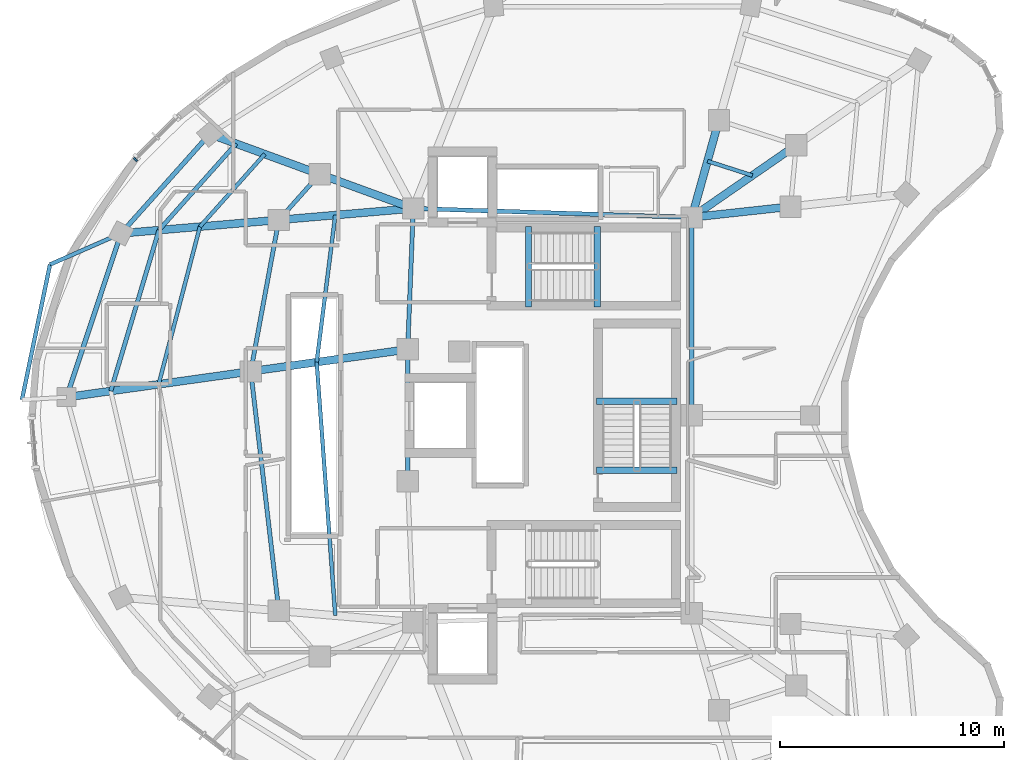
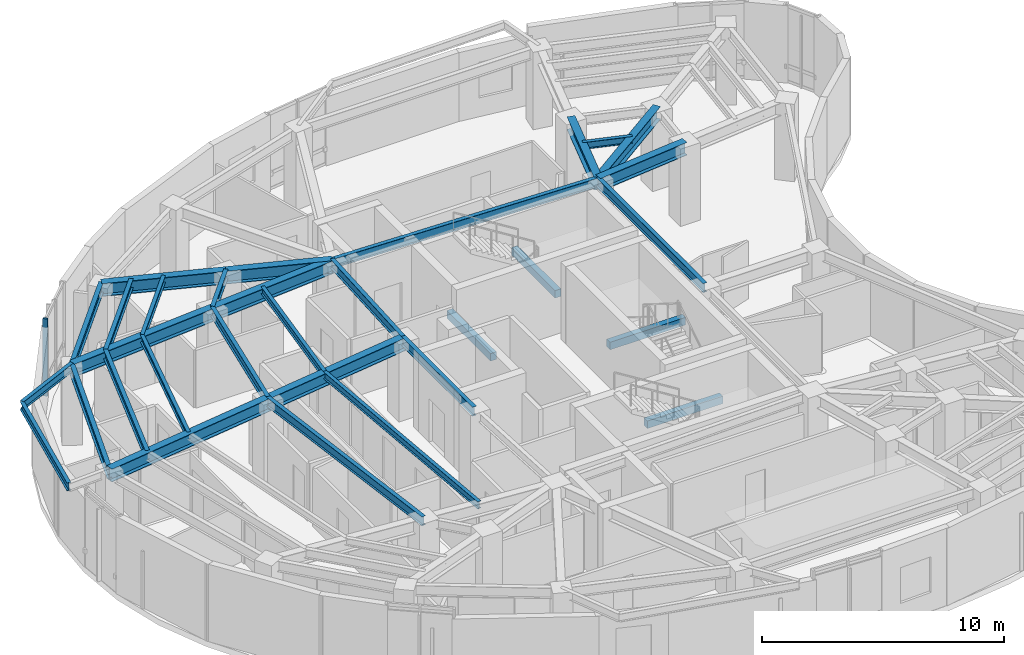
# One storey, part 3 of 13: 31 beams, 1 member, 1 element without a shape of its own.
"""IFC4 building model written with IfcOpenShell, lengths in metres."""

from ifc_helpers import new_model, si_unit, direction, frame, origin, origin_2d, place, context, subcontext, project, spatial, rectangle, i_section, extrude, material, layer, layer_set, material_profile, profile_set, type_object, element, aggregate, save


model = new_model("IFC4")

# Units and contexts
model_context = context("Model", 3, precision=1e-05, world=origin(), true_north=direction((0.0, 1.0)))
body_context = subcontext(model_context, "Body", "Model", "MODEL_VIEW")
ifc_project = project(units=[si_unit("LENGTHUNIT", "METRE"), si_unit("AREAUNIT", "SQUARE_METRE"), si_unit("VOLUMEUNIT", "CUBIC_METRE"), si_unit("PLANEANGLEUNIT", "RADIAN"), si_unit("MASSUNIT", "GRAM", prefix="KILO")], contexts=[model_context])

# Site, building, storey
site_placement = place(None, origin())
site = spatial("IfcSite", under=ifc_project, at=site_placement, CompositionType="ELEMENT")
building_placement = place(site_placement, origin())
building = spatial("IfcBuilding", under=site, at=building_placement, Name="Korentha Bioscience Tower", CompositionType="ELEMENT")
storey_placement = place(building_placement, frame((0.0, 0.0, 260.39990234375)))
storey = spatial("IfcBuildingStorey", under=building, at=storey_placement, Name="L60", CompositionType="ELEMENT", Elevation=260.39990234375)

# Beams
ifc_material_1 = material(Name="Concrete C50", Category="concrete")
ifc_material_profile_1 = material_profile(ifc_material_1, rectangle(XDim=0.280029296875, YDim=0.3798828125, at=origin_2d()), Name="Concrete C50")
ifc_profile_set_1 = profile_set([ifc_material_profile_1], Name="Concrete C50 (ST-HB380)")
beam_type_1 = type_object("IfcBeamType", Name="Concrete Stair Header Beam RC 280x380", PredefinedType="BEAM", material=ifc_profile_set_1)
for number, where, z_axis, x_axis, name in (
    (1, (30.25, 31.85009765625, -0.18994140625), (0.0, 1.0, 0.0), (-1.0, 0.0, 0.0), "L60 ST-1 Concrete Stair Header Beam"),
    (2, (33.330078125, 31.85009765625, 1.91015625), (0.0, 1.0, 0.0), (-1.0, 0.0, 0.0), "L60 ST-1 Half-Landing Header Beam 1"),
    (3, (36.89990234375, 24.550048828125, -0.18994140625), (-1.0, 0.0, 0.0), (0.0, -1.0, 0.0), "L60 ST-3 Concrete Stair Header Beam"),
    (4, (36.89990234375, 27.6298828125, 1.91015625), (-1.0, 0.0, 0.0), (0.0, -1.0, 0.0), "L60 ST-3 Half-Landing Header Beam 1"),
):
    element("IfcBeam", number, at=place(storey_placement, frame(where, z_axis=z_axis, x_axis=x_axis)), inside=storey, type_object=beam_type_1, Name=name, PredefinedType="BEAM", context=body_context, shape_type="SweptSolid", body=[
        extrude(rectangle(XDim=0.280029296875, YDim=0.3798828125, at=origin_2d()), origin(), (0.0, 0.0, 1.0), 3.599853515625),
    ])
ifc_material_2 = material(Name="Steel S355", Category="steel")
ifc_material_profile_2 = material_profile(ifc_material_2, i_section(OverallWidth=0.18994140625, OverallDepth=0.45703125, WebThickness=0.009033203125, FlangeThickness=0.014404296875, at=origin_2d()), Name="Steel S355")
ifc_profile_set_2 = profile_set([ifc_material_profile_2], Name="Steel S355 (MB-460)")
beam_type_2 = type_object("IfcBeamType", Name="Mid-Ring Tie Girder W460x74", PredefinedType="BEAM", material=ifc_profile_set_2)
beam_1_placement = place(storey_placement, frame((20.915283203125, 37.78125, 3.671630859375), z_axis=(-0.666159168073, -0.745809602239, 0.0), x_axis=(0.745809602239, -0.666159168073, 0.0)))
element("IfcBeam", 5, at=beam_1_placement, inside=storey, type_object=beam_type_2, Name="L60 Mid-Ring Tie Girder 05", PredefinedType="BEAM", context=body_context, shape_type="SweptSolid", body=[
    extrude(i_section(OverallWidth=0.18994140625, OverallDepth=0.45703125, WebThickness=0.009033203125, FlangeThickness=0.014404296875, at=origin_2d()), origin(), (0.0, 0.0, 1.0), 2.740234375),
])
beam_2_placement = place(storey_placement, frame((19.08984375, 35.737548828125, 3.671630859375), z_axis=(-0.182381206512, -0.98322789602, 0.0), x_axis=(0.98322789602, -0.182381206512, 0.0)))
element("IfcBeam", 6, at=beam_2_placement, inside=storey, type_object=beam_type_2, Name="L60 Mid-Ring Tie Girder 06", PredefinedType="BEAM", context=body_context, shape_type="SweptSolid", body=[
    extrude(i_section(OverallWidth=0.18994140625, OverallDepth=0.45703125, WebThickness=0.009033203125, FlangeThickness=0.014404296875, at=origin_2d()), origin(), (0.0, 0.0, 1.0), 6.88720703125),
])
beam_3_placement = place(storey_placement, frame((17.833740234375, 28.9658203125, 3.671630859375), z_axis=(0.116556015935, -0.993184119461, 0.0), x_axis=(0.993184119461, 0.116556015935, 0.0)))
element("IfcBeam", 7, at=beam_3_placement, inside=storey, type_object=beam_type_2, Name="L60 Mid-Ring Tie Girder 07", PredefinedType="BEAM", context=body_context, shape_type="SweptSolid", body=[
    extrude(i_section(OverallWidth=0.18994140625, OverallDepth=0.45703125, WebThickness=0.009033203125, FlangeThickness=0.014404296875, at=origin_2d()), origin(), (0.0, 0.0, 1.0), 10.77685546875),
])
beam_4_placement = place(storey_placement, frame((37.550048828125, 35.85009765625, 3.671630859375), z_axis=(-0.999484526071, 0.032104238723, 0.0), x_axis=(-0.032104238723, -0.999484526071, 0.0)))
element("IfcBeam", 8, at=beam_4_placement, inside=storey, type_object=beam_type_2, Name="L60 Core Ring Tie Girder 01", PredefinedType="BEAM", context=body_context, shape_type="SweptSolid", body=[
    extrude(i_section(OverallWidth=0.18994140625, OverallDepth=0.45703125, WebThickness=0.009033203125, FlangeThickness=0.014404296875, at=origin_2d()), origin(), (0.0, 0.0, 1.0), 12.456298828125),
])
beam_5_placement = place(storey_placement, frame((25.10009765625, 36.25, 3.671630859375), z_axis=(-0.039651025576, -0.999213588864, 0.0), x_axis=(0.999213588864, -0.039651025576, 0.0)))
element("IfcBeam", 9, at=beam_5_placement, inside=storey, type_object=beam_type_2, Name="L60 Core Ring Tie Girder 02", PredefinedType="BEAM", context=body_context, shape_type="SweptSolid", body=[
    extrude(i_section(OverallWidth=0.18994140625, OverallDepth=0.45703125, WebThickness=0.009033203125, FlangeThickness=0.014404296875, at=origin_2d()), origin(), (0.0, 0.0, 1.0), 6.304931640625),
])
beam_6_placement = place(storey_placement, frame((24.85009765625, 29.949951171875, 3.671630859375), z_axis=(0.0, -1.0, 0.0), x_axis=(1.0, 0.0, 0.0)))
element("IfcBeam", 10, at=beam_6_placement, inside=storey, type_object=beam_type_2, Name="L60 Core Ring Tie Girder 03", PredefinedType="BEAM", context=body_context, shape_type="SweptSolid", body=[
    extrude(i_section(OverallWidth=0.18994140625, OverallDepth=0.45703125, WebThickness=0.009033203125, FlangeThickness=0.014404296875, at=origin_2d()), origin(), (0.0, 0.0, 1.0), 5.89990234375),
])
beam_7_placement = place(storey_placement, frame((37.550048828125, 27.0, 3.671630859375), z_axis=(0.0, 1.0, 0.0), x_axis=(-1.0, 0.0, 0.0)))
element("IfcBeam", 11, at=beam_7_placement, inside=storey, type_object=beam_type_2, Name="L60 Core Ring Tie Girder 07", PredefinedType="BEAM", context=body_context, shape_type="SweptSolid", body=[
    extrude(i_section(OverallWidth=0.18994140625, OverallDepth=0.45703125, WebThickness=0.009033203125, FlangeThickness=0.014404296875, at=origin_2d()), origin(), (0.0, 0.0, 1.0), 8.85009765625),
])

# Curtain wall, member
ifc_material_3 = material(Name="Thermally Broken Aluminium Frame", Category="aluminium")
ifc_layer = layer(ifc_material_3, 0.219970703125, Name="Thermally Broken Aluminium Frame")
ifc_layer_set = layer_set([ifc_layer], Name="Thermally Broken Aluminium Frame (CW-T2)")
curtain_wall_type = type_object("IfcCurtainWallType", Name="Solar-Screened Lab Unitised Curtain Wall CW-T2", PredefinedType="USERDEFINED", material=ifc_layer_set)
curtain_wall_placement = place(storey_placement, origin())
curtain_wall = element("IfcCurtainWall", 12, at=curtain_wall_placement, inside=storey, type_object=curtain_wall_type, Name="L60 Curtain Wall 13", ObjectType="UNITISED", PredefinedType="USERDEFINED")
ifc_material_4 = material(Name="Anodised Aluminium 6063-T6", Category="aluminium")
ifc_material_profile_3 = material_profile(ifc_material_4, rectangle(XDim=0.090087890625, YDim=0.199951171875, at=origin_2d()), Name="Anodised Aluminium 6063-T6")
ifc_profile_set_3 = profile_set([ifc_material_profile_3], Name="Anodised Aluminium 6063-T6 (CW-MUL)")
member_type = type_object("IfcMemberType", Name="Mullion RECT 90x200", PredefinedType="MULLION", material=ifc_profile_set_3)
member_placement = place(storey_placement, frame((12.680419921875, 38.43603515625, 0.0), z_axis=(0.0, 0.0, 1.0), x_axis=(-0.711397700041, -0.702789664392, 0.0)))
member = element("IfcMember", 13, at=member_placement, type_object=member_type, Name="CW-L60-13 Mullion 3", PredefinedType="MULLION", context=body_context, shape_type="SweptSolid", body=[
    extrude(rectangle(XDim=0.090087890625, YDim=0.199951171875, at=origin_2d()), origin(), (0.0, 0.0, 1.0), 3.900146484375),
])
aggregate(curtain_wall, [member])

# Beams
ifc_material_profile_4 = material_profile(ifc_material_2, i_section(OverallWidth=0.208984375, OverallDepth=0.532958984375, WebThickness=0.01025390625, FlangeThickness=0.015625, at=origin_2d()), Name="Steel S355")
ifc_profile_set_4 = profile_set([ifc_material_profile_4], Name="Steel S355 (SB-530)")
beam_type_3 = type_object("IfcBeamType", Name="Perimeter Ring Spandrel Girder W530x92", PredefinedType="SPANDREL", material=ifc_profile_set_4)
beam_8_placement = place(storey_placement, frame((16.002685546875, 39.57861328125, 3.633544921875), z_axis=(-0.666168059737, -0.745801660086, 0.0), x_axis=(0.745801660086, -0.666168059737, 0.0)))
element("IfcBeam", 14, at=beam_8_placement, inside=storey, type_object=beam_type_3, Name="L60 Perimeter Spandrel Girder 05", PredefinedType="SPANDREL", context=body_context, shape_type="SweptSolid", body=[
    extrude(i_section(OverallWidth=0.208984375, OverallDepth=0.532958984375, WebThickness=0.01025390625, FlangeThickness=0.015625, at=origin_2d()), origin(), (0.0, 0.0, 1.0), 5.956787109375),
])
beam_9_placement = place(storey_placement, frame((12.034423828125, 35.135986328125, 3.633544921875), z_axis=(-0.315658499219, -0.948872863913, 0.0), x_axis=(0.948872863913, -0.315658499219, 0.0)))
element("IfcBeam", 15, at=beam_9_placement, inside=storey, type_object=beam_type_3, Name="L60 Perimeter Spandrel Girder 06", PredefinedType="SPANDREL", context=body_context, shape_type="SweptSolid", body=[
    extrude(i_section(OverallWidth=0.208984375, OverallDepth=0.532958984375, WebThickness=0.01025390625, FlangeThickness=0.015625, at=origin_2d()), origin(), (0.0, 0.0, 1.0), 7.720458984375),
])
ifc_material_profile_5 = material_profile(ifc_material_2, i_section(OverallWidth=0.18994140625, OverallDepth=0.45703125, WebThickness=0.009033203125, FlangeThickness=0.014404296875, at=origin_2d()), Name="Steel S355")
ifc_profile_set_5 = profile_set([ifc_material_profile_5], Name="Steel S355 (RB-460)")
beam_type_4 = type_object("IfcBeamType", Name="Radial Laboratory Beam W460x74", PredefinedType="BEAM", material=ifc_profile_set_5)
beam_10_placement = place(storey_placement, frame((17.181884765625, 39.147216796875, 3.671630859375), z_axis=(-0.666197283, -0.745775556132, 0.0), x_axis=(0.745775556132, -0.666197283, 0.0)))
element("IfcBeam", 16, at=beam_10_placement, inside=storey, type_object=beam_type_4, Name="L60 Secondary Floor Beam JSTO-05", PredefinedType="BEAM", context=body_context, shape_type="SweptSolid", body=[
    extrude(i_section(OverallWidth=0.18994140625, OverallDepth=0.45703125, WebThickness=0.009033203125, FlangeThickness=0.014404296875, at=origin_2d()), origin(), (0.0, 0.0, 1.0), 5.184814453125),
])
beam_11_placement = place(storey_placement, frame((13.727783203125, 35.280517578125, 3.671630859375), z_axis=(-0.28682281491, -0.957983649572, 0.0), x_axis=(0.957983649572, -0.28682281491, 0.0)))
element("IfcBeam", 17, at=beam_11_placement, inside=storey, type_object=beam_type_4, Name="L60 Secondary Floor Beam JSTO-06", PredefinedType="BEAM", context=body_context, shape_type="SweptSolid", body=[
    extrude(i_section(OverallWidth=0.18994140625, OverallDepth=0.45703125, WebThickness=0.009033203125, FlangeThickness=0.014404296875, at=origin_2d()), origin(), (0.0, 0.0, 1.0), 7.50830078125),
])
ifc_material_profile_6 = material_profile(ifc_material_2, i_section(OverallWidth=0.35009765625, OverallDepth=0.64990234375, WebThickness=0.01611328125, FlangeThickness=0.02490234375, at=origin_2d()), Name="Steel S355")
ifc_profile_set_6 = profile_set([ifc_material_profile_6], Name="Steel S355 (RB-650)")
beam_type_5 = type_object("IfcBeamType", Name="Radial Laboratory Girder CVS 650x208", PredefinedType="BEAM", material=ifc_profile_set_6)
beam_12_placement = place(storey_placement, frame((37.550048828125, 35.85009765625, 3.5751953125), z_axis=(0.822500009141, 0.56876509647, 0.0), x_axis=(-0.56876509647, 0.822500009141, 0.0)))
element("IfcBeam", 18, at=beam_12_placement, inside=storey, type_object=beam_type_5, Name="L60 Inner Radial Girder 01", PredefinedType="BEAM", context=body_context, shape_type="SweptSolid", body=[
    extrude(i_section(OverallWidth=0.35009765625, OverallDepth=0.64990234375, WebThickness=0.01611328125, FlangeThickness=0.02490234375, at=origin_2d()), origin(), (0.0, 0.0, 1.0), 5.6796875),
])
beam_13_placement = place(storey_placement, frame((37.550048828125, 35.85009765625, 3.5751953125), z_axis=(0.269471139951, 0.963008465556, 0.0), x_axis=(-0.963008465556, 0.269471139951, 0.0)))
element("IfcBeam", 19, at=beam_13_placement, inside=storey, type_object=beam_type_5, Name="L60 Inner Radial Girder 02", PredefinedType="BEAM", context=body_context, shape_type="SweptSolid", body=[
    extrude(i_section(OverallWidth=0.35009765625, OverallDepth=0.64990234375, WebThickness=0.01611328125, FlangeThickness=0.02490234375, at=origin_2d()), origin(), (0.0, 0.0, 1.0), 4.505615234375),
])
beam_14_placement = place(storey_placement, frame((25.10009765625, 36.25, 3.5751953125), z_axis=(-0.939106897866, 0.343625136422, 0.0), x_axis=(-0.343625136422, -0.939106897866, 0.0)))
element("IfcBeam", 20, at=beam_14_placement, inside=storey, type_object=beam_type_5, Name="L60 Inner Radial Girder 05", PredefinedType="BEAM", context=body_context, shape_type="SweptSolid", body=[
    extrude(i_section(OverallWidth=0.35009765625, OverallDepth=0.64990234375, WebThickness=0.01611328125, FlangeThickness=0.02490234375, at=origin_2d()), origin(), (0.0, 0.0, 1.0), 4.4560546875),
])
beam_15_placement = place(storey_placement, frame((20.915283203125, 37.78125, 3.5751953125), z_axis=(-0.939118444477, 0.343593578583, 0.0), x_axis=(-0.343593578583, -0.939118444477, 0.0)))
element("IfcBeam", 21, at=beam_15_placement, inside=storey, type_object=beam_type_5, Name="L60 Outer Radial Girder 05", PredefinedType="BEAM", context=body_context, shape_type="SweptSolid", body=[
    extrude(i_section(OverallWidth=0.35009765625, OverallDepth=0.64990234375, WebThickness=0.01611328125, FlangeThickness=0.02490234375, at=origin_2d()), origin(), (0.0, 0.0, 1.0), 5.23095703125),
])
beam_16_placement = place(storey_placement, frame((25.10009765625, 36.25, 3.5751953125), z_axis=(-0.996384825277, -0.084954575849, 0.0), x_axis=(0.084954575849, -0.996384825277, 0.0)))
element("IfcBeam", 22, at=beam_16_placement, inside=storey, type_object=beam_type_5, Name="L60 Inner Radial Girder 06", PredefinedType="BEAM", context=body_context, shape_type="SweptSolid", body=[
    extrude(i_section(OverallWidth=0.35009765625, OverallDepth=0.64990234375, WebThickness=0.01611328125, FlangeThickness=0.02490234375, at=origin_2d()), origin(), (0.0, 0.0, 1.0), 6.031982421875),
])
beam_17_placement = place(storey_placement, frame((19.08984375, 35.737548828125, 3.5751953125), z_axis=(-0.996384854796, -0.084954229635, 0.0), x_axis=(0.084954229635, -0.996384854796, 0.0)))
element("IfcBeam", 23, at=beam_17_placement, inside=storey, type_object=beam_type_5, Name="L60 Outer Radial Girder 06", PredefinedType="BEAM", context=body_context, shape_type="SweptSolid", body=[
    extrude(i_section(OverallWidth=0.35009765625, OverallDepth=0.64990234375, WebThickness=0.01611328125, FlangeThickness=0.02490234375, at=origin_2d()), origin(), (0.0, 0.0, 1.0), 7.0810546875),
])
beam_18_placement = place(storey_placement, frame((24.85009765625, 29.949951171875, 3.5751953125), z_axis=(-0.990306038615, -0.138902663338, 0.0), x_axis=(0.138902663338, -0.990306038615, 0.0)))
element("IfcBeam", 24, at=beam_18_placement, inside=storey, type_object=beam_type_5, Name="L60 Inner Radial Girder 07", PredefinedType="BEAM", context=body_context, shape_type="SweptSolid", body=[
    extrude(i_section(OverallWidth=0.35009765625, OverallDepth=0.64990234375, WebThickness=0.01611328125, FlangeThickness=0.02490234375, at=origin_2d()), origin(), (0.0, 0.0, 1.0), 7.0849609375),
])
beam_19_placement = place(storey_placement, frame((17.833740234375, 28.9658203125, 3.5751953125), z_axis=(-0.990301560164, -0.138934588696, 0.0), x_axis=(0.138934588696, -0.990301560164, 0.0)))
element("IfcBeam", 25, at=beam_19_placement, inside=storey, type_object=beam_type_5, Name="L60 Outer Radial Girder 07", PredefinedType="BEAM", context=body_context, shape_type="SweptSolid", body=[
    extrude(i_section(OverallWidth=0.35009765625, OverallDepth=0.64990234375, WebThickness=0.01611328125, FlangeThickness=0.02490234375, at=origin_2d()), origin(), (0.0, 0.0, 1.0), 8.31689453125),
])
beam_20_placement = place(storey_placement, frame((37.550048828125, 35.85009765625, 3.5751953125), z_axis=(0.994121454153, 0.108270653423, 0.0), x_axis=(-0.108270653423, 0.994121454153, 0.0)))
element("IfcBeam", 26, at=beam_20_placement, inside=storey, type_object=beam_type_5, Name="L60 Inner Radial Girder 16", PredefinedType="BEAM", context=body_context, shape_type="SweptSolid", body=[
    extrude(i_section(OverallWidth=0.35009765625, OverallDepth=0.64990234375, WebThickness=0.01611328125, FlangeThickness=0.02490234375, at=origin_2d()), origin(), (0.0, 0.0, 1.0), 4.43994140625),
])
ifc_material_profile_7 = material_profile(ifc_material_2, i_section(OverallWidth=0.1708984375, OverallDepth=0.35498046875, WebThickness=0.007080078125, FlangeThickness=0.01171875, at=origin_2d()), Name="Steel S355")
ifc_profile_set_7 = profile_set([ifc_material_profile_7], Name="Steel S355 (JB-360)")
beam_type_6 = type_object("IfcBeamType", Name="Secondary Laboratory Joist W360x51", PredefinedType="JOIST", material=ifc_profile_set_7)
beam_21_placement = place(storey_placement, frame((40.259521484375, 37.7236328125, 3.72265625), z_axis=(-0.952238215196, 0.305356155202, 0.0), x_axis=(-0.305356155202, -0.952238215196, 0.0)))
element("IfcBeam", 27, at=beam_21_placement, inside=storey, type_object=beam_type_6, Name="L60 Inner Bay Joist 01", PredefinedType="JOIST", context=body_context, shape_type="SweptSolid", body=[
    extrude(i_section(OverallWidth=0.1708984375, OverallDepth=0.35498046875, WebThickness=0.007080078125, FlangeThickness=0.01171875, at=origin_2d()), origin(), (0.0, 0.0, 1.0), 2.10595703125),
])
beam_22_placement = place(storey_placement, frame((18.458984375, 38.679931640625, 3.72265625), z_axis=(-0.666180871809, -0.745790215836, 0.0), x_axis=(0.745790215836, -0.666180871809, 0.0)))
element("IfcBeam", 28, at=beam_22_placement, inside=storey, type_object=beam_type_6, Name="L60 Secondary Floor Beam JST-05", PredefinedType="JOIST", context=body_context, shape_type="SweptSolid", body=[
    extrude(i_section(OverallWidth=0.1708984375, OverallDepth=0.35498046875, WebThickness=0.007080078125, FlangeThickness=0.01171875, at=origin_2d()), origin(), (0.0, 0.0, 1.0), 4.3486328125),
])
beam_23_placement = place(storey_placement, frame((15.56201171875, 35.436767578125, 3.72265625), z_axis=(-0.253407917841, -0.967359512888, 0.0), x_axis=(0.967359512888, -0.253407917841, 0.0)))
element("IfcBeam", 29, at=beam_23_placement, inside=storey, type_object=beam_type_6, Name="L60 Secondary Floor Beam JST-06", PredefinedType="JOIST", context=body_context, shape_type="SweptSolid", body=[
    extrude(i_section(OverallWidth=0.1708984375, OverallDepth=0.35498046875, WebThickness=0.007080078125, FlangeThickness=0.01171875, at=origin_2d()), origin(), (0.0, 0.0, 1.0), 7.286376953125),
])
beam_24_placement = place(storey_placement, frame((21.614013671875, 35.952880859375, 3.72265625), z_axis=(-0.125784907958, -0.992057537107, 0.0), x_axis=(0.992057537107, -0.125784907958, 0.0)))
element("IfcBeam", 30, at=beam_24_placement, inside=storey, type_object=beam_type_6, Name="L60 Inner Bay Joist 06", PredefinedType="JOIST", context=body_context, shape_type="SweptSolid", body=[
    extrude(i_section(OverallWidth=0.1708984375, OverallDepth=0.35498046875, WebThickness=0.007080078125, FlangeThickness=0.01171875, at=origin_2d()), origin(), (0.0, 0.0, 1.0), 6.62646484375),
])
beam_25_placement = place(storey_placement, frame((20.780517578125, 29.379150390625, 3.72265625), z_axis=(0.073354070829, -0.997305961224, 0.0), x_axis=(0.997305961224, 0.073354070829, 0.0)))
element("IfcBeam", 31, at=beam_25_placement, inside=storey, type_object=beam_type_6, Name="L60 Inner Bay Joist 07", PredefinedType="JOIST", context=body_context, shape_type="SweptSolid", body=[
    extrude(i_section(OverallWidth=0.1708984375, OverallDepth=0.35498046875, WebThickness=0.007080078125, FlangeThickness=0.01171875, at=origin_2d()), origin(), (0.0, 0.0, 1.0), 11.362548828125),
])
ifc_material_profile_8 = material_profile(ifc_material_2, i_section(OverallWidth=0.177978515625, OverallDepth=0.406982421875, WebThickness=0.0078125, FlangeThickness=0.0126953125, at=origin_2d()), Name="Steel S355")
ifc_profile_set_8 = profile_set([ifc_material_profile_8], Name="Steel S355 (CB-410)")
beam_type_7 = type_object("IfcBeamType", Name="Sun-Ledge Cantilever Beam W410x60", PredefinedType="BEAM", material=ifc_profile_set_8)
beam_26_placement = place(storey_placement, frame((12.034423828125, 35.135986328125, 3.698486328125), z_axis=(-0.915780485789, -0.401679103076, 0.0), x_axis=(0.401679103076, -0.915780485789, 0.0)))
element("IfcBeam", 32, at=beam_26_placement, inside=storey, type_object=beam_type_7, Name="L60 Balcony Cantilever Bracket A-L61-02", PredefinedType="BEAM", context=body_context, shape_type="SweptSolid", body=[
    extrude(i_section(OverallWidth=0.177978515625, OverallDepth=0.406982421875, WebThickness=0.0078125, FlangeThickness=0.0126953125, at=origin_2d()), origin(), (0.0, 0.0, 1.0), 3.468017578125),
])
beam_27_placement = place(storey_placement, frame((8.8583984375, 33.742919921875, 3.698486328125), z_axis=(-0.203074868792, -0.979163212986, 0.0), x_axis=(0.979163212986, -0.203074868792, 0.0)))
element("IfcBeam", 33, at=beam_27_placement, inside=storey, type_object=beam_type_7, Name="L60 Balcony Edge Trimmer Beam L61-02", PredefinedType="BEAM", context=body_context, shape_type="SweptSolid", body=[
    extrude(i_section(OverallWidth=0.177978515625, OverallDepth=0.406982421875, WebThickness=0.0078125, FlangeThickness=0.0126953125, at=origin_2d()), origin(), (0.0, 0.0, 1.0), 6.17578125),
])

save(model, "model.ifc")
